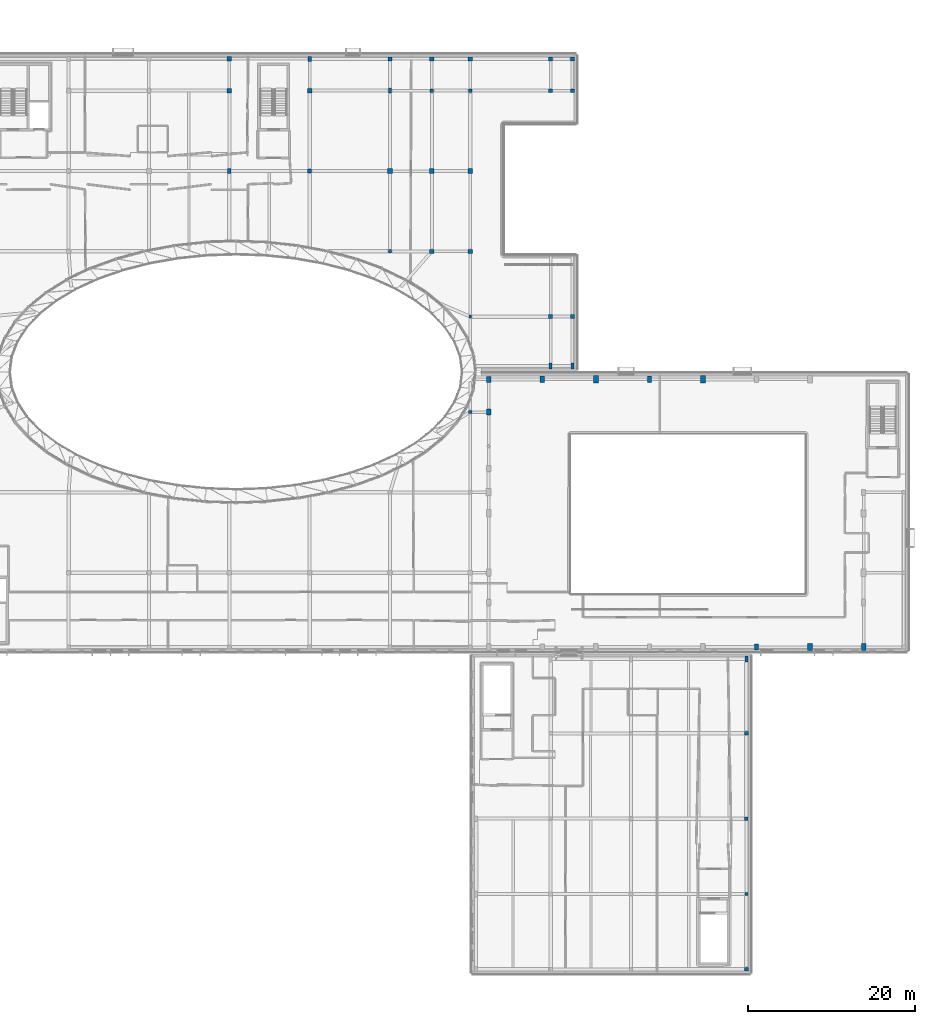
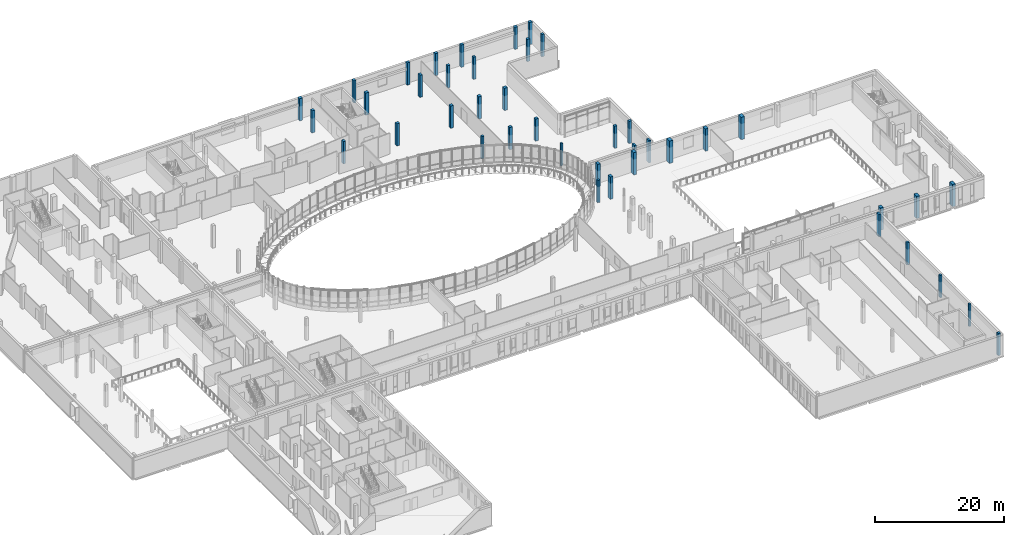
# One storey, part 8 of 84: 42 columns.
"""IFC4 building model written with IfcOpenShell, lengths in metres."""

from ifc_helpers import new_model, si_unit, direction, frame, origin, origin_2d, place, context, subcontext, project, spatial, rectangle, extrude, material, material_profile, profile_set, type_object, element, save


model = new_model("IFC4")

# Units and contexts
model_context = context("Model", 3, precision=1e-05, world=origin(), true_north=direction((0.0, 1.0)))
body_context = subcontext(model_context, "Body", "Model", "MODEL_VIEW")
ifc_project = project(units=[si_unit("LENGTHUNIT", "METRE"), si_unit("AREAUNIT", "SQUARE_METRE"), si_unit("VOLUMEUNIT", "CUBIC_METRE"), si_unit("PLANEANGLEUNIT", "RADIAN"), si_unit("MASSUNIT", "GRAM", prefix="KILO")], contexts=[model_context])

# Site, building, storey
site_placement = place(None, origin())
site = spatial("IfcSite", under=ifc_project, at=site_placement, CompositionType="ELEMENT")
building_placement = place(site_placement, origin())
building = spatial("IfcBuilding", under=site, at=building_placement, Name="Mzevani Central Library", CompositionType="ELEMENT")
storey_placement = place(building_placement, frame((0.0, 0.0, 5.39990234375)))
storey = spatial("IfcBuildingStorey", under=building, at=storey_placement, Name="L01", CompositionType="ELEMENT", Elevation=5.39990234375)

# Columns
ifc_material = material(Name="Concrete C40/50", Category="concrete")
ifc_material_profile_1 = material_profile(ifc_material, rectangle(XDim=0.35009765625, YDim=0.35009765625, at=origin_2d()), Name="RC 350x350")
ifc_profile_set_1 = profile_set([ifc_material_profile_1], Name="Concrete C40/50")
column_type_1 = type_object("IfcColumnType", Name="Column RC 350x350", PredefinedType="COLUMN", material=ifc_profile_set_1)
for number, where, z_axis, x_axis, name in (
    (1, (112.0, 82.60009765625, 0.0), (0.0, 0.0, 1.0), (1.0, 0.0, 0.0), "L01 V3 Column C-01 (135)"),
    (2, (145.0, 13.60009765625, 0.0), (0.0, 0.0, 1.0), (1.0, 0.0, 0.0), "L01 V6 Column C-01 (225)"),
):
    element("IfcColumn", number, at=place(storey_placement, frame(where, z_axis=z_axis, x_axis=x_axis)), inside=storey, type_object=column_type_1, Name=name, PredefinedType="COLUMN", context=body_context, shape_type="SweptSolid", body=[
        extrude(rectangle(XDim=0.35009765625, YDim=0.35009765625, at=origin_2d()), origin(), (0.0, 0.0, 1.0), 4.2001953125),
    ])
ifc_material_profile_2 = material_profile(ifc_material, rectangle(XDim=0.39990234375, YDim=0.39990234375, at=origin_2d()), Name="RC 400x400")
ifc_profile_set_2 = profile_set([ifc_material_profile_2], Name="Concrete C40/50")
column_type_2 = type_object("IfcColumnType", Name="Column RC 400x400", PredefinedType="COLUMN", material=ifc_profile_set_2)
for number, where, z_axis, x_axis, name in (
    (3, (112.0, 71.199951171875, 0.0), (0.0, 0.0, 1.0), (1.0, 0.0, 0.0), "L01 V1 Column C-02 (25)"),
    (4, (102.39990234375, 90.39990234375, 0.0), (0.0, 0.0, 1.0), (1.0, 0.0, 0.0), "L01 V3 Column C-02 (126)"),
    (5, (145.0, 22.60009765625, 0.0), (0.0, 0.0, 1.0), (1.0, 0.0, 0.0), "L01 V6 Column C-02 (226)"),
):
    element("IfcColumn", number, at=place(storey_placement, frame(where, z_axis=z_axis, x_axis=x_axis)), inside=storey, type_object=column_type_2, Name=name, PredefinedType="COLUMN", context=body_context, shape_type="SweptSolid", body=[
        extrude(rectangle(XDim=0.39990234375, YDim=0.39990234375, at=origin_2d()), origin(), (0.0, 0.0, 1.0), 4.2001953125),
    ])
ifc_material_profile_3 = material_profile(ifc_material, rectangle(XDim=0.39990234375, YDim=0.60009765625, at=origin_2d()), Name="RC 400x600")
ifc_profile_set_3 = profile_set([ifc_material_profile_3], Name="Concrete C40/50")
column_type_3 = type_object("IfcColumnType", Name="Column RC 400x600", PredefinedType="COLUMN", material=ifc_profile_set_3)
for number, where, z_axis, x_axis, name in (
    (6, (83.199951171875, 100.0, 0.0), (0.0, 0.0, 1.0), (1.0, 0.0, 0.0), "L01 V3 Column C-11 (119)"),
    (7, (92.800048828125, 113.39990234375, 0.0), (0.0, 0.0, 1.0), (1.0, 0.0, 0.0), "L01 V3 Column C-11 (125)"),
    (8, (102.39990234375, 109.60009765625, 0.0), (0.0, 0.0, 1.0), (1.0, 0.0, 0.0), "L01 V3 Column C-11 (128)"),
):
    element("IfcColumn", number, at=place(storey_placement, frame(where, z_axis=z_axis, x_axis=x_axis)), inside=storey, type_object=column_type_3, Name=name, PredefinedType="COLUMN", context=body_context, shape_type="SweptSolid", body=[
        extrude(rectangle(XDim=0.39990234375, YDim=0.60009765625, at=origin_2d()), origin(), (0.0, 0.0, 1.0), 4.2001953125),
    ])
ifc_material_profile_4 = material_profile(ifc_material, rectangle(XDim=0.449951171875, YDim=0.449951171875, at=origin_2d()), Name="RC 450x450")
ifc_profile_set_4 = profile_set([ifc_material_profile_4], Name="Concrete C40/50")
column_type_4 = type_object("IfcColumnType", Name="Column RC 450x450", PredefinedType="COLUMN", material=ifc_profile_set_4)
for number, where, z_axis, x_axis, name in (
    (9, (107.39990234375, 109.60009765625, 0.0), (0.0, 0.0, 1.0), (1.0, 0.0, 0.0), "L01 V3 Column C-03 (132)"),
    (10, (112.0, 109.60009765625, 0.0), (0.0, 0.0, 1.0), (1.0, 0.0, 0.0), "L01 V3 Column C-03 (138)"),
    (11, (121.60009765625, 82.60009765625, 0.0), (0.0, 0.0, 1.0), (1.0, 0.0, 0.0), "L01 V3 Column C-03 (141)"),
    (12, (121.60009765625, 109.60009765625, 0.0), (0.0, 0.0, 1.0), (1.0, 0.0, 0.0), "L01 V3 Column C-03 (144)"),
    (13, (124.199951171875, 82.60009765625, 0.0), (0.0, 0.0, 1.0), (1.0, 0.0, 0.0), "L01 V3 Column C-03 (147)"),
    (14, (124.199951171875, 109.60009765625, 0.0), (0.0, 0.0, 1.0), (1.0, 0.0, 0.0), "L01 V3 Column C-03 (150)"),
    (15, (145.0, 4.60009765625, 0.0), (0.0, 0.0, 1.0), (1.0, 0.0, 0.0), "L01 V6 Column C-03 (224)"),
    (16, (145.0, 32.800048828125, 0.0), (0.0, 0.0, 1.0), (1.0, 0.0, 0.0), "L01 V6 Column C-03 (227)"),
):
    element("IfcColumn", number, at=place(storey_placement, frame(where, z_axis=z_axis, x_axis=x_axis)), inside=storey, type_object=column_type_4, Name=name, PredefinedType="COLUMN", context=body_context, shape_type="SweptSolid", body=[
        extrude(rectangle(XDim=0.449951171875, YDim=0.449951171875, at=origin_2d()), origin(), (0.0, 0.0, 1.0), 4.2001953125),
    ])
ifc_material_profile_5 = material_profile(ifc_material, rectangle(XDim=0.5, YDim=0.5, at=origin_2d()), Name="RC 500x500")
ifc_profile_set_5 = profile_set([ifc_material_profile_5], Name="Concrete C40/50")
column_type_5 = type_object("IfcColumnType", Name="Column RC 500x500", PredefinedType="COLUMN", material=ifc_profile_set_5)
for number, where, z_axis, x_axis, name in (
    (17, (83.199951171875, 109.60009765625, 0.0), (0.0, 0.0, 1.0), (1.0, 0.0, 0.0), "L01 V3 Column C-04 (120)"),
    (18, (92.800048828125, 100.0, 0.0), (0.0, 0.0, 1.0), (1.0, 0.0, 0.0), "L01 V3 Column C-04 (123)"),
    (19, (102.39990234375, 113.39990234375, 0.0), (0.0, 0.0, 1.0), (1.0, 0.0, 0.0), "L01 V3 Column C-04 (129)"),
    (20, (107.39990234375, 90.39990234375, 0.0), (0.0, 0.0, 1.0), (1.0, 0.0, 0.0), "L01 V3 Column C-04 (130)"),
    (21, (107.39990234375, 113.39990234375, 0.0), (0.0, 0.0, 1.0), (1.0, 0.0, 0.0), "L01 V3 Column C-04 (133)"),
    (22, (112.0, 90.39990234375, 0.0), (0.0, 0.0, 1.0), (1.0, 0.0, 0.0), "L01 V3 Column C-04 (136)"),
    (23, (112.0, 113.39990234375, 0.0), (0.0, 0.0, 1.0), (1.0, 0.0, 0.0), "L01 V3 Column C-04 (139)"),
    (24, (121.60009765625, 113.39990234375, 0.0), (0.0, 0.0, 1.0), (1.0, 0.0, 0.0), "L01 V3 Column C-04 (145)"),
    (25, (124.199951171875, 113.39990234375, 0.0), (0.0, 0.0, 1.0), (1.0, 0.0, 0.0), "L01 V3 Column C-04 (151)"),
):
    element("IfcColumn", number, at=place(storey_placement, frame(where, z_axis=z_axis, x_axis=x_axis)), inside=storey, type_object=column_type_5, Name=name, PredefinedType="COLUMN", context=body_context, shape_type="SweptSolid", body=[
        extrude(rectangle(XDim=0.5, YDim=0.5, at=origin_2d()), origin(), (0.0, 0.0, 1.0), 4.2001953125),
    ])
ifc_material_profile_6 = material_profile(ifc_material, rectangle(XDim=0.5, YDim=0.699951171875, at=origin_2d()), Name="RC 500x700")
ifc_profile_set_6 = profile_set([ifc_material_profile_6], Name="Concrete C40/50")
column_type_6 = type_object("IfcColumnType", Name="Column RC 500x700", PredefinedType="COLUMN", material=ifc_profile_set_6)
for number, where, z_axis, x_axis, name in (
    (26, (114.199951171875, 71.199951171875, 0.0), (0.0, 0.0, 1.0), (1.0, 0.0, 0.0), "L01 V1 Column C-14 (30)"),
    (27, (114.199951171875, 75.10009765625, 0.0), (0.0, 0.0, 1.0), (1.0, 0.0, 0.0), "L01 V1 Column C-14 (31)"),
    (28, (146.199951171875, 43.10009765625, 0.0), (0.0, 0.0, 1.0), (1.0, 0.0, 0.0), "L01 V1 Column C-14 (46)"),
):
    element("IfcColumn", number, at=place(storey_placement, frame(where, z_axis=z_axis, x_axis=x_axis)), inside=storey, type_object=column_type_6, Name=name, PredefinedType="COLUMN", context=body_context, shape_type="SweptSolid", body=[
        extrude(rectangle(XDim=0.5, YDim=0.699951171875, at=origin_2d()), origin(), (0.0, 0.0, 1.0), 4.2001953125),
    ])
ifc_material_profile_7 = material_profile(ifc_material, rectangle(XDim=0.5, YDim=0.800048828125, at=origin_2d()), Name="RC 500x800")
ifc_profile_set_7 = profile_set([ifc_material_profile_7], Name="Concrete C40/50")
column_type_7 = type_object("IfcColumnType", Name="Column RC 500x800", PredefinedType="COLUMN", material=ifc_profile_set_7)
for number, where, z_axis, x_axis, name in (
    (29, (120.60009765625, 75.10009765625, 0.0), (0.0, 0.0, 1.0), (1.0, 0.0, 0.0), "L01 V1 Column C-15 (39)"),
    (30, (133.39990234375, 75.10009765625, 0.0), (0.0, 0.0, 1.0), (1.0, 0.0, 0.0), "L01 V1 Column C-15 (43)"),
):
    element("IfcColumn", number, at=place(storey_placement, frame(where, z_axis=z_axis, x_axis=x_axis)), inside=storey, type_object=column_type_7, Name=name, PredefinedType="COLUMN", context=body_context, shape_type="SweptSolid", body=[
        extrude(rectangle(XDim=0.5, YDim=0.800048828125, at=origin_2d()), origin(), (0.0, 0.0, 1.0), 4.2001953125),
    ])
ifc_material_profile_8 = material_profile(ifc_material, rectangle(XDim=0.550048828125, YDim=0.550048828125, at=origin_2d()), Name="RC 550x550")
ifc_profile_set_8 = profile_set([ifc_material_profile_8], Name="Concrete C40/50")
column_type_8 = type_object("IfcColumnType", Name="Column RC 550x550", PredefinedType="COLUMN", material=ifc_profile_set_8)
for number, where, z_axis, x_axis, name in (
    (31, (83.199951171875, 113.39990234375, 0.0), (0.0, 0.0, 1.0), (1.0, 0.0, 0.0), "L01 V3 Column C-05 (121)"),
    (32, (92.800048828125, 109.60009765625, 0.0), (0.0, 0.0, 1.0), (1.0, 0.0, 0.0), "L01 V3 Column C-05 (124)"),
    (33, (102.39990234375, 100.0, 0.0), (0.0, 0.0, 1.0), (1.0, 0.0, 0.0), "L01 V3 Column C-05 (127)"),
    (34, (107.39990234375, 100.0, 0.0), (0.0, 0.0, 1.0), (1.0, 0.0, 0.0), "L01 V3 Column C-05 (131)"),
    (35, (112.0, 100.0, 0.0), (0.0, 0.0, 1.0), (1.0, 0.0, 0.0), "L01 V3 Column C-05 (137)"),
):
    element("IfcColumn", number, at=place(storey_placement, frame(where, z_axis=z_axis, x_axis=x_axis)), inside=storey, type_object=column_type_8, Name=name, PredefinedType="COLUMN", context=body_context, shape_type="SweptSolid", body=[
        extrude(rectangle(XDim=0.550048828125, YDim=0.550048828125, at=origin_2d()), origin(), (0.0, 0.0, 1.0), 4.2001953125),
    ])
ifc_material_profile_9 = material_profile(ifc_material, rectangle(XDim=0.550048828125, YDim=0.85009765625, at=origin_2d()), Name="RC 550x850")
ifc_profile_set_9 = profile_set([ifc_material_profile_9], Name="Concrete C40/50")
column_type_9 = type_object("IfcColumnType", Name="Column RC 550x850", PredefinedType="COLUMN", material=ifc_profile_set_9)
for number, where, z_axis, x_axis, name in (
    (36, (159.0, 43.10009765625, 0.0), (0.0, 0.0, 1.0), (1.0, 0.0, 0.0), "L01 V1 Column C-16 (32)"),
    (37, (152.60009765625, 43.10009765625, 0.0), (0.0, 0.0, 1.0), (1.0, 0.0, 0.0), "L01 V1 Column C-16 (48)"),
):
    element("IfcColumn", number, at=place(storey_placement, frame(where, z_axis=z_axis, x_axis=x_axis)), inside=storey, type_object=column_type_9, Name=name, PredefinedType="COLUMN", context=body_context, shape_type="SweptSolid", body=[
        extrude(rectangle(XDim=0.550048828125, YDim=0.85009765625, at=origin_2d()), origin(), (0.0, 0.0, 1.0), 4.2001953125),
    ])
ifc_material_profile_10 = material_profile(ifc_material, rectangle(XDim=0.60009765625, YDim=0.89990234375, at=origin_2d()), Name="RC 600x900")
ifc_profile_set_10 = profile_set([ifc_material_profile_10], Name="Concrete C40/50")
column_type_10 = type_object("IfcColumnType", Name="Column RC 600x900", PredefinedType="COLUMN", material=ifc_profile_set_10)
for number, where, z_axis, x_axis, name in (
    (38, (127.0, 75.10009765625, 0.0), (0.0, 0.0, 1.0), (1.0, 0.0, 0.0), "L01 V1 Column C-17 (41)"),
    (39, (139.800048828125, 75.10009765625, 0.0), (0.0, 0.0, 1.0), (1.0, 0.0, 0.0), "L01 V1 Column C-17 (45)"),
):
    element("IfcColumn", number, at=place(storey_placement, frame(where, z_axis=z_axis, x_axis=x_axis)), inside=storey, type_object=column_type_10, Name=name, PredefinedType="COLUMN", context=body_context, shape_type="SweptSolid", body=[
        extrude(rectangle(XDim=0.60009765625, YDim=0.89990234375, at=origin_2d()), origin(), (0.0, 0.0, 1.0), 4.2001953125),
    ])
ifc_material_profile_11 = material_profile(ifc_material, rectangle(XDim=0.35009765625, YDim=0.699951171875, at=origin_2d()), Name="RC 350x700")
ifc_profile_set_11 = profile_set([ifc_material_profile_11], Name="Concrete C40/50")
column_type_11 = type_object("IfcColumnType", Name="Joint Twin Column RC 350x700", PredefinedType="COLUMN", material=ifc_profile_set_11)
for number, where, z_axis, x_axis, name in (
    (40, (121.60009765625, 76.699951171875, 0.0), (0.0, 0.0, 1.0), (1.0, 0.0, 0.0), "L01 V3 Column C-18 (140)"),
    (41, (124.199951171875, 76.699951171875, 0.0), (0.0, 0.0, 1.0), (1.0, 0.0, 0.0), "L01 V3 Column C-18 (146)"),
    (42, (145.0, 41.699951171875, 0.0), (0.0, 0.0, 1.0), (1.0, 0.0, 0.0), "L01 V6 Column C-18 (228)"),
):
    element("IfcColumn", number, at=place(storey_placement, frame(where, z_axis=z_axis, x_axis=x_axis)), inside=storey, type_object=column_type_11, Name=name, PredefinedType="COLUMN", context=body_context, shape_type="SweptSolid", body=[
        extrude(rectangle(XDim=0.35009765625, YDim=0.699951171875, at=origin_2d()), origin(), (0.0, 0.0, 1.0), 4.2001953125),
    ])

save(model, "model.ifc")
